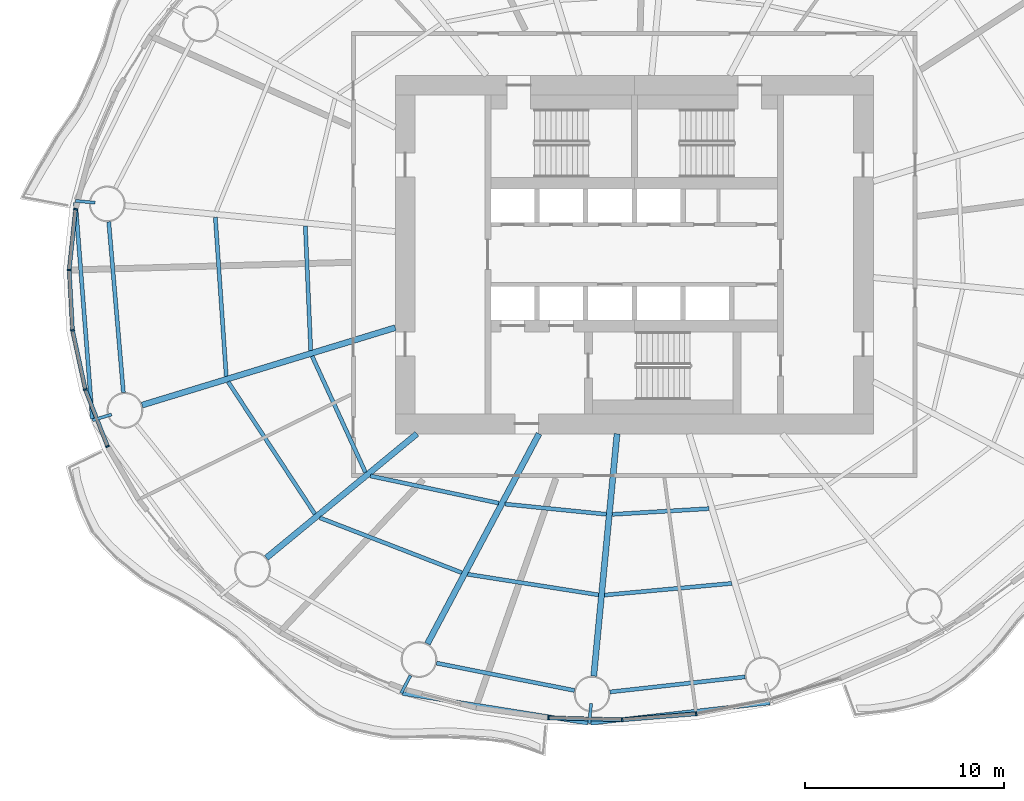
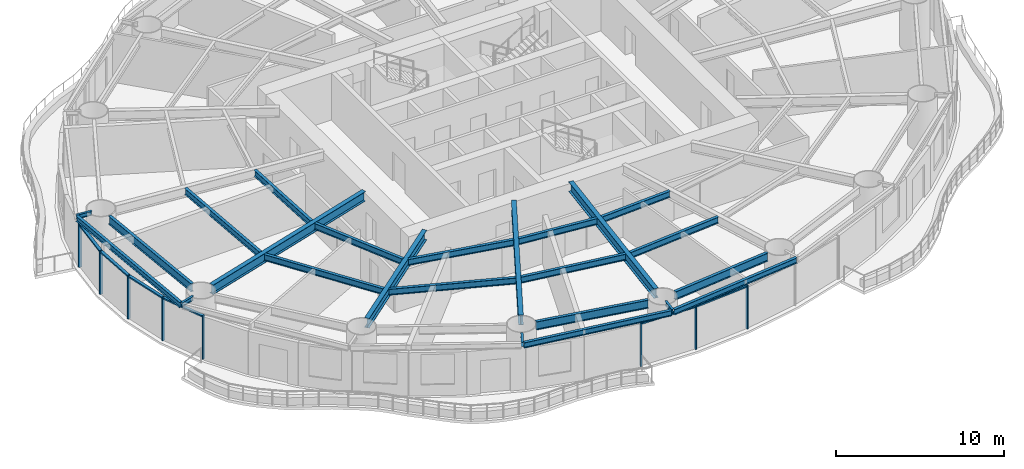
# One storey, part 2 of 16: 24 beams, 14 members, 7 elements without a shape of their own.
"""IFC4 building model written with IfcOpenShell, lengths in metres."""

import ifcopenshell
import ifcopenshell.guid

model = None  # the IFC model being written
_history = None  # IfcOwnerHistory: only IFC2X3 demands one
_inside = {}  # id of a spatial element -> (the spatial element, [elements in it])
_under = {}  # id of a project, library or spatial element -> (it, [spatial elements below it])
_declared = {}  # id of a project -> (the project, [libraries it declares])
_typed = {}  # id of a type object -> (the type object, [elements of that type])
_made_of = {}  # id of a material, layer set ... -> (it, [elements and type objects made of it])


def new_model(schema):
    """Start an empty IFC model of exactly this schema.

    Asked for "IFC4X3", IfcOpenShell would pick the latest addendum, in which some entities
    have other attributes; the version numbers below select the first issue.
    IFC2X3 requires an IfcOwnerHistory on every rooted entity: one is made here for all.
    """
    global model, _history
    if schema == "IFC4X3":
        model = ifcopenshell.file(schema_version=(4, 3, 0, 0))
    else:
        model = ifcopenshell.file(schema=schema)
    _inside.clear()
    _under.clear()
    _declared.clear()
    _typed.clear()
    _made_of.clear()
    _history = None
    if model.schema == "IFC2X3":
        org = make("IfcOrganization", Name="unknown")
        user = make(
            "IfcPersonAndOrganization",
            ThePerson=make("IfcPerson", FamilyName="unknown"),
            TheOrganization=org,
        )
        app = make(
            "IfcApplication",
            ApplicationDeveloper=org,
            Version="unknown",
            ApplicationFullName="unknown",
            ApplicationIdentifier="unknown",
        )
        _history = make(
            "IfcOwnerHistory",
            OwningUser=user,
            OwningApplication=app,
            ChangeAction="ADDED",
            CreationDate=0,
        )
    return model


def make(cls, **values):
    """One entity of the class cls with the attributes given. An attribute that is None is left unset."""
    return model.create_entity(
        cls, **{name: value for name, value in values.items() if value is not None}
    )


def rooted(cls, **values):
    """An entity with a GlobalId (a new one), such as an element, a storey or a relation."""
    return make(cls, GlobalId=ifcopenshell.guid.new(), OwnerHistory=_history, **values)


def si_unit(unit_type, name, prefix=None):
    """IfcSIUnit, for example si_unit("LENGTHUNIT", "METRE", prefix="MILLI")."""
    return make("IfcSIUnit", UnitType=unit_type, Prefix=prefix, Name=name)


def assignment(units):
    """IfcUnitAssignment: the units of a project."""
    return None if units is None else make("IfcUnitAssignment", Units=units)


def point(xyz):
    """IfcCartesianPoint."""
    return None if xyz is None else make("IfcCartesianPoint", Coordinates=xyz)


def direction(xyz):
    """IfcDirection."""
    return None if xyz is None else make("IfcDirection", DirectionRatios=xyz)


def frame(location, z_axis=None, x_axis=None):
    """IfcAxis2Placement3D, a coordinate frame: its origin and axes. An axis left out is left unset."""
    return make(
        "IfcAxis2Placement3D",
        Location=point(location),
        Axis=direction(z_axis),
        RefDirection=direction(x_axis),
    )


def frame_2d(location, x_axis=None):
    """IfcAxis2Placement2D, a coordinate frame in the plane: its origin and x axis."""
    return make(
        "IfcAxis2Placement2D", Location=point(location), RefDirection=direction(x_axis)
    )


def origin():
    """The frame at (0, 0, 0) with its axes left unset."""
    return frame((0.0, 0.0, 0.0))


def origin_2d():
    """The frame at (0, 0) in the plane with its x axis left unset."""
    return frame_2d((0.0, 0.0))


def place(relative_to, where):
    """IfcLocalPlacement: puts the frame where relative to a parent placement (None: the world)."""
    return make(
        "IfcLocalPlacement", PlacementRelTo=relative_to, RelativePlacement=where
    )


def context(
    kind, dimensions, precision=None, world=None, true_north=None, identifier=None
):
    """IfcGeometricRepresentationContext, for example the 3D "Model" context."""
    return make(
        "IfcGeometricRepresentationContext",
        ContextIdentifier=identifier,
        ContextType=kind,
        CoordinateSpaceDimension=dimensions,
        Precision=precision,
        WorldCoordinateSystem=world,
        TrueNorth=true_north,
    )


def subcontext(parent, identifier, kind, view, scale=None):
    """IfcGeometricRepresentationSubContext, for example "Body" below "Model"."""
    return make(
        "IfcGeometricRepresentationSubContext",
        ContextIdentifier=identifier,
        ContextType=kind,
        ParentContext=parent,
        TargetScale=scale,
        TargetView=view,
    )


def project(units=None, contexts=None):
    """IfcProject with its units and contexts."""
    return rooted(
        "IfcProject",
        Name="project",
        RepresentationContexts=contexts,
        UnitsInContext=assignment(units),
    )


def spatial(cls, under=None, at=None, **own):
    """A site, building, storey or space (cls), placed at a placement, below another one or the project."""
    s = rooted(cls, ObjectPlacement=at, **own)
    if under is not None:
        _under.setdefault(under.id(), (under, []))[1].append(s)
    return s


def profile(cls, at=None, kind="AREA", **sizes):
    """A parametric profile (cls). Its sizes go by their IFC names, for example OverallWidth=200.0."""
    return make(cls, ProfileType=kind, Position=at, **sizes)


def rectangle(**sizes):
    """IfcRectangleProfileDef."""
    return profile("IfcRectangleProfileDef", **sizes)


def i_section(**sizes):
    """IfcIShapeProfileDef."""
    return profile("IfcIShapeProfileDef", **sizes)


def extrude(swept, where, along, depth):
    """IfcExtrudedAreaSolid: the profile swept, set in the frame where, extruded along a direction by depth."""
    return make(
        "IfcExtrudedAreaSolid",
        SweptArea=swept,
        Position=where,
        ExtrudedDirection=direction(along),
        Depth=depth,
    )


def shape(context_of_items, identifier, shape_type, items):
    """IfcShapeRepresentation: the items that make up one representation, for example the "Body"."""
    return make(
        "IfcShapeRepresentation",
        ContextOfItems=context_of_items,
        RepresentationIdentifier=identifier,
        RepresentationType=shape_type,
        Items=items,
    )


def material(Name=None, Category=None):
    """IfcMaterial."""
    return make("IfcMaterial", Name=Name, Category=Category)


def material_profile(
    of_material, cross_section, Name=None, Category=None, Priority=None
):
    """IfcMaterialProfile: a cross section and its material."""
    return make(
        "IfcMaterialProfile",
        Name=Name,
        Material=of_material,
        Profile=cross_section,
        Priority=Priority,
        Category=Category,
    )


def profile_set(profiles, Name=None, composite=None):
    """IfcMaterialProfileSet."""
    return make(
        "IfcMaterialProfileSet",
        Name=Name,
        MaterialProfiles=profiles,
        CompositeProfile=composite,
    )


def made_of(thing, what):
    """Note that an element or type object is made of a material, layer set ...; save() writes the relation."""
    if what is not None:
        _made_of.setdefault(what.id(), (what, []))[1].append(thing)
    return thing


def type_object(cls, material=None, **own):
    """A type object (cls), such as IfcWallType, which elements share."""
    return made_of(rooted(cls, **own), material)


def element(
    cls,
    number,
    at=None,
    inside=None,
    cuts=None,
    type_object=None,
    material=None,
    context=None,
    identifier="Body",
    shape_type=None,
    held_by="IfcProductDefinitionShape",
    body=None,
    shapes=None,
    **own,
):
    """One element of the class cls, such as IfcWall. Its Tag is "e" and its number.

    at: its placement. inside: the storey or other place that contains it. cuts: it is an
    opening in that element (IfcRelVoidsElement). A single representation is given by context,
    identifier, shape_type and body (its items); several are given by shapes. held_by: the class
    of the entity that holds the representations. save() writes the other relations.
    """
    e = rooted(cls, Tag="e%d" % number, ObjectPlacement=at, **own)
    if body is not None:
        shapes = [shape(context, identifier, shape_type, body)]
    if shapes is not None:
        e.Representation = make(held_by, Representations=shapes)
    if inside is not None:
        _inside.setdefault(inside.id(), (inside, []))[1].append(e)
    if cuts is not None:
        rooted(
            "IfcRelVoidsElement", RelatingBuildingElement=cuts, RelatedOpeningElement=e
        )
    if type_object is not None:
        _typed.setdefault(type_object.id(), (type_object, []))[1].append(e)
    return made_of(e, material)


def aggregate(whole, parts):
    """IfcRelAggregates: a whole, such as a stair, and the parts it consists of."""
    return rooted("IfcRelAggregates", RelatingObject=whole, RelatedObjects=parts)


def save(model, path):
    """Write the relations noted so far, then the file.

    IfcRelAggregates (storeys below a building ...), IfcRelContainedInSpatialStructure (elements
    in a storey), IfcRelDefinesByType, IfcRelAssociatesMaterial and IfcRelDeclares: one each for
    every whole, place, type object, material and project.
    """
    for whole, parts in _under.values():
        aggregate(whole, parts)
    for where, things in _inside.values():
        rooted(
            "IfcRelContainedInSpatialStructure",
            RelatedElements=things,
            RelatingStructure=where,
        )
    for kind, things in _typed.values():
        rooted("IfcRelDefinesByType", RelatedObjects=things, RelatingType=kind)
    for what, things in _made_of.values():
        rooted("IfcRelAssociatesMaterial", RelatedObjects=things, RelatingMaterial=what)
    for by, libraries in _declared.values():
        rooted("IfcRelDeclares", RelatingContext=by, RelatedDefinitions=libraries)
    model.write(path)


model = new_model("IFC4")

# Units and contexts
model_context = context("Model", 3, precision=1e-05, world=origin(), true_north=direction((0.0, 1.0)))
body_context = subcontext(model_context, "Body", "Model", "MODEL_VIEW")
ifc_project = project(units=[si_unit("LENGTHUNIT", "METRE"), si_unit("AREAUNIT", "SQUARE_METRE"), si_unit("VOLUMEUNIT", "CUBIC_METRE"), si_unit("PLANEANGLEUNIT", "RADIAN"), si_unit("MASSUNIT", "GRAM", prefix="KILO")], contexts=[model_context])

# Site, building, storey
site_placement = place(None, origin())
site = spatial("IfcSite", under=ifc_project, at=site_placement, CompositionType="ELEMENT")
building_placement = place(site_placement, origin())
building = spatial("IfcBuilding", under=site, at=building_placement, Name="Vermilion Reach Broadcast Tower", CompositionType="ELEMENT")
storey_placement = place(building_placement, frame((0.0, 0.0, 65.60009765625)))
storey = spatial("IfcBuildingStorey", under=building, at=storey_placement, Name="L13", CompositionType="ELEMENT", Elevation=65.60009765625)

# Beams
ifc_material_1 = material(Name="Steel S355J2", Category="steel")
ifc_material_profile_1 = material_profile(ifc_material_1, i_section(OverallWidth=0.199951171875, OverallDepth=0.39990234375, WebThickness=0.008056640625, FlangeThickness=0.012939453125, at=origin_2d()), Name="S355J2 HN 400x200x8x13")
ifc_profile_set_1 = profile_set([ifc_material_profile_1], Name="Steel S355J2")
beam_type_1 = type_object("IfcBeamType", Name="EB1 HN 400x200x8x13", PredefinedType="BEAM", material=ifc_profile_set_1)
beam_1_placement = place(storey_placement, frame((-34.058349609375, 2.621337890625, 3.349853515625), z_axis=(0.077787488333, -0.996969962767, 0.0), x_axis=(0.996969962767, 0.077787488333, 0.0)))
element("IfcBeam", 1, at=beam_1_placement, inside=storey, type_object=beam_type_1, Name="Edge beam EB1-08", PredefinedType="BEAM", context=body_context, shape_type="SweptSolid", body=[
    extrude(i_section(OverallWidth=0.199951171875, OverallDepth=0.39990234375, WebThickness=0.008056640625, FlangeThickness=0.012939453125, at=origin_2d()), origin(), (0.0, 0.0, 1.0), 10.900146484375),
])
beam_2_placement = place(storey_placement, frame((-17.626953125, -22.035888671875, 3.349853515625), z_axis=(0.98739866046, -0.158252599731, 0.0), x_axis=(0.158252599731, 0.98739866046, 0.0)))
element("IfcBeam", 2, at=beam_2_placement, inside=storey, type_object=beam_type_1, Name="Edge beam EB1-11", PredefinedType="BEAM", context=body_context, shape_type="SweptSolid", body=[
    extrude(i_section(OverallWidth=0.199951171875, OverallDepth=0.39990234375, WebThickness=0.008056640625, FlangeThickness=0.012939453125, at=origin_2d()), origin(), (0.0, 0.0, 1.0), 9.4091796875),
])
beam_3_placement = place(storey_placement, frame((-8.18603515625, -23.528076171875, 3.349853515625), z_axis=(0.993623124283, 0.112752325429, 0.0), x_axis=(-0.112752325429, 0.993623124283, 0.0)))
element("IfcBeam", 3, at=beam_3_placement, inside=storey, type_object=beam_type_1, Name="Edge beam EB1-12", PredefinedType="BEAM", context=body_context, shape_type="SweptSolid", body=[
    extrude(i_section(OverallWidth=0.199951171875, OverallDepth=0.39990234375, WebThickness=0.008056640625, FlangeThickness=0.012939453125, at=origin_2d()), origin(), (0.0, 0.0, 1.0), 9.05078125),
])
ifc_material_2 = material(Name="Steel S355J2", Category="steel")
ifc_material_profile_2 = material_profile(ifc_material_2, i_section(OverallWidth=0.300048828125, OverallDepth=0.699951171875, WebThickness=0.012939453125, FlangeThickness=0.02392578125, at=origin_2d()), Name="S355J2 HN 700x300x13x24")
ifc_profile_set_2 = profile_set([ifc_material_profile_2], Name="Steel S355J2")
beam_type_2 = type_object("IfcBeamType", Name="G1 HN 700x300x13x24", PredefinedType="BEAM", material=ifc_profile_set_2)
beam_4_placement = place(storey_placement, frame((-18.0, -3.671142578125, 3.199951171875), z_axis=(-0.956255735186, -0.292531996409, 0.0), x_axis=(0.292531996409, -0.956255735186, 0.0)))
element("IfcBeam", 4, at=beam_4_placement, inside=storey, type_object=beam_type_2, Name="Girder G1-09", PredefinedType="BEAM", context=body_context, shape_type="SweptSolid", body=[
    extrude(i_section(OverallWidth=0.300048828125, OverallDepth=0.699951171875, WebThickness=0.012939453125, FlangeThickness=0.02392578125, at=origin_2d()), origin(), (0.0, 0.0, 1.0), 13.29638671875),
])
beam_5_placement = place(storey_placement, frame((-16.9140625, -9.0, 3.199951171875), z_axis=(-0.771514256373, -0.636212034005, 0.0), x_axis=(0.636212034005, -0.771514256373, 0.0)))
element("IfcBeam", 5, at=beam_5_placement, inside=storey, type_object=beam_type_2, Name="Girder G1-10", PredefinedType="BEAM", context=body_context, shape_type="SweptSolid", body=[
    extrude(i_section(OverallWidth=0.300048828125, OverallDepth=0.699951171875, WebThickness=0.012939453125, FlangeThickness=0.02392578125, at=origin_2d()), origin(), (0.0, 0.0, 1.0), 9.796142578125),
])
beam_6_placement = place(storey_placement, frame((-10.783447265625, -9.0, 3.199951171875), z_axis=(-0.469312182262, -0.883032318537, 0.0), x_axis=(0.883032318537, -0.469312182262, 0.0)))
element("IfcBeam", 6, at=beam_6_placement, inside=storey, type_object=beam_type_2, Name="Girder G1-11", PredefinedType="BEAM", context=body_context, shape_type="SweptSolid", body=[
    extrude(i_section(OverallWidth=0.300048828125, OverallDepth=0.699951171875, WebThickness=0.012939453125, FlangeThickness=0.02392578125, at=origin_2d()), origin(), (0.0, 0.0, 1.0), 11.94091796875),
])
beam_7_placement = place(storey_placement, frame((-6.864990234375, -9.0, 3.199951171875), z_axis=(-0.09566673912, -0.995413419151, 0.0), x_axis=(0.995413419151, -0.09566673912, 0.0)))
element("IfcBeam", 7, at=beam_7_placement, inside=storey, type_object=beam_type_2, Name="Girder G1-12", PredefinedType="BEAM", context=body_context, shape_type="SweptSolid", body=[
    extrude(i_section(OverallWidth=0.300048828125, OverallDepth=0.699951171875, WebThickness=0.012939453125, FlangeThickness=0.02392578125, at=origin_2d()), origin(), (0.0, 0.0, 1.0), 12.22412109375),
])
ifc_material_3 = material(Name="Steel S355J2", Category="steel")
ifc_material_profile_3 = material_profile(ifc_material_3, i_section(OverallWidth=0.14990234375, OverallDepth=0.300048828125, WebThickness=0.006591796875, FlangeThickness=0.009033203125, at=origin_2d()), Name="S355J2 HN 300x150x6.5x9")
ifc_profile_set_3 = profile_set([ifc_material_profile_3], Name="Steel S355J2")
beam_type_3 = type_object("IfcBeamType", Name="GS1 HN 300x150x6.5x9", PredefinedType="BEAM", material=ifc_profile_set_3)
for number, where, z_axis, x_axis, name in (
    (8, (-33.06884765625, 2.6015625, 3.39990234375), (-0.995409476419, 0.095707754417, 0.0), (-0.095707754417, -0.995409476419, 0.0), "Cantilever stub GS1-08"),
    (9, (-32.248046875, -8.02978515625, 3.39990234375), (-0.956205533022, -0.292696051594, 0.0), (0.292696051594, -0.956205533022, 0.0), "Cantilever stub GS1-09"),
):
    element("IfcBeam", number, at=place(storey_placement, frame(where, z_axis=z_axis, x_axis=x_axis)), inside=storey, type_object=beam_type_3, Name=name, PredefinedType="BEAM", context=body_context, shape_type="SweptSolid", body=[
        extrude(i_section(OverallWidth=0.14990234375, OverallDepth=0.300048828125, WebThickness=0.006591796875, FlangeThickness=0.009033203125, at=origin_2d()), origin(), (0.0, 0.0, 1.0), 1.0),
    ])
beam_8_placement = place(storey_placement, frame((-17.232177734375, -21.1337890625, 3.39990234375), z_axis=(-0.469367816371, -0.883002747989, 0.0), x_axis=(0.883002747989, -0.469367816371, 0.0)))
element("IfcBeam", 10, at=beam_8_placement, inside=storey, type_object=beam_type_3, Name="Cantilever stub GS1-11", PredefinedType="BEAM", context=body_context, shape_type="SweptSolid", body=[
    extrude(i_section(OverallWidth=0.14990234375, OverallDepth=0.300048828125, WebThickness=0.006591796875, FlangeThickness=0.009033203125, at=origin_2d()), origin(), (0.0, 0.0, 1.0), 1.007568359375),
])
beam_9_placement = place(storey_placement, frame((-8.16650390625, -22.541259765625, 3.39990234375), z_axis=(-0.095707754417, -0.995409476419, 0.0), x_axis=(0.995409476419, -0.095707754417, 0.0)))
element("IfcBeam", 11, at=beam_9_placement, inside=storey, type_object=beam_type_3, Name="Cantilever stub GS1-12", PredefinedType="BEAM", context=body_context, shape_type="SweptSolid", body=[
    extrude(i_section(OverallWidth=0.14990234375, OverallDepth=0.300048828125, WebThickness=0.006591796875, FlangeThickness=0.009033203125, at=origin_2d()), origin(), (0.0, 0.0, 1.0), 1.0),
])
ifc_material_4 = material(Name="Steel S355J2", Category="steel")
ifc_material_profile_4 = material_profile(ifc_material_4, i_section(OverallWidth=0.199951171875, OverallDepth=0.60009765625, WebThickness=0.010986328125, FlangeThickness=0.01708984375, at=origin_2d()), Name="S355J2 HN 600x200x11x17")
ifc_profile_set_4 = profile_set([ifc_material_profile_4], Name="Steel S355J2")
beam_type_4 = type_object("IfcBeamType", Name="RB1 HN 600x200x11x17", PredefinedType="BEAM", material=ifc_profile_set_4)
beam_10_placement = place(storey_placement, frame((-32.38720703125, 1.646728515625, 3.25), z_axis=(0.085395508608, -0.996347131832, 0.0), x_axis=(0.996347131832, 0.085395508608, 0.0)))
element("IfcBeam", 12, at=beam_10_placement, inside=storey, type_object=beam_type_4, Name="Ring beam RB1-08", PredefinedType="BEAM", context=body_context, shape_type="SweptSolid", body=[
    extrude(i_section(OverallWidth=0.199951171875, OverallDepth=0.60009765625, WebThickness=0.010986328125, FlangeThickness=0.01708984375, at=origin_2d()), origin(), (0.0, 0.0, 1.0), 8.60546875),
])
beam_11_placement = place(storey_placement, frame((-15.927001953125, -20.51416015625, 3.25), z_axis=(0.980857717995, -0.194725799651, 0.0), x_axis=(0.194725799651, 0.980857717995, 0.0)))
element("IfcBeam", 13, at=beam_11_placement, inside=storey, type_object=beam_type_4, Name="Ring beam RB1-11", PredefinedType="BEAM", context=body_context, shape_type="SweptSolid", body=[
    extrude(i_section(OverallWidth=0.199951171875, OverallDepth=0.60009765625, WebThickness=0.010986328125, FlangeThickness=0.01708984375, at=origin_2d()), origin(), (0.0, 0.0, 1.0), 7.05859375),
])
beam_12_placement = place(storey_placement, frame((-7.22607421875, -21.964111328125, 3.25), z_axis=(0.993851439324, 0.110721798009, 0.0), x_axis=(-0.110721798009, 0.993851439324, 0.0)))
element("IfcBeam", 14, at=beam_12_placement, inside=storey, type_object=beam_type_4, Name="Ring beam RB1-12", PredefinedType="BEAM", context=body_context, shape_type="SweptSolid", body=[
    extrude(i_section(OverallWidth=0.199951171875, OverallDepth=0.60009765625, WebThickness=0.010986328125, FlangeThickness=0.01708984375, at=origin_2d()), origin(), (0.0, 0.0, 1.0), 6.8310546875),
])
ifc_material_5 = material(Name="Steel S355J2", Category="steel")
ifc_material_profile_5 = material_profile(ifc_material_5, i_section(OverallWidth=0.199951171875, OverallDepth=0.449951171875, WebThickness=0.009033203125, FlangeThickness=0.013916015625, at=origin_2d()), Name="S355J2 HN 450x200x9x14")
ifc_profile_set_5 = profile_set([ifc_material_profile_5], Name="Steel S355J2")
beam_type_5 = type_object("IfcBeamType", Name="SB1 HN 450x200x9x14", PredefinedType="BEAM", material=ifc_profile_set_5)
beam_13_placement = place(storey_placement, frame((-22.51611328125, 1.436767578125, 3.324951171875), z_axis=(0.043361007512, -0.999059469215, 0.0), x_axis=(0.999059469215, 0.043361007512, 0.0)))
element("IfcBeam", 15, at=beam_13_placement, inside=storey, type_object=beam_type_5, Name="Secondary beam SB1-08-1", PredefinedType="BEAM", context=body_context, shape_type="SweptSolid", body=[
    extrude(i_section(OverallWidth=0.199951171875, OverallDepth=0.449951171875, WebThickness=0.009033203125, FlangeThickness=0.013916015625, at=origin_2d()), origin(), (0.0, 0.0, 1.0), 6.25537109375),
])
beam_14_placement = place(storey_placement, frame((-27.03515625, 1.87109375, 3.324951171875), z_axis=(0.068507801475, -0.997650580683, 0.0), x_axis=(0.997650580683, 0.068507801475, 0.0)))
element("IfcBeam", 16, at=beam_14_placement, inside=storey, type_object=beam_type_5, Name="Secondary beam SB1-08-2", PredefinedType="BEAM", context=body_context, shape_type="SweptSolid", body=[
    extrude(i_section(OverallWidth=0.199951171875, OverallDepth=0.449951171875, WebThickness=0.009033203125, FlangeThickness=0.013916015625, at=origin_2d()), origin(), (0.0, 0.0, 1.0), 8.00048828125),
])
beam_15_placement = place(storey_placement, frame((-22.175048828125, -5.105224609375, 3.324951171875), z_axis=(0.417211452529, -0.908809443106, 0.0), x_axis=(0.908809443106, 0.417211452529, 0.0)))
element("IfcBeam", 17, at=beam_15_placement, inside=storey, type_object=beam_type_5, Name="Secondary beam SB1-09-1", PredefinedType="BEAM", context=body_context, shape_type="SweptSolid", body=[
    extrude(i_section(OverallWidth=0.199951171875, OverallDepth=0.449951171875, WebThickness=0.009033203125, FlangeThickness=0.013916015625, at=origin_2d()), origin(), (0.0, 0.0, 1.0), 6.41650390625),
])
beam_16_placement = place(storey_placement, frame((-26.390625, -6.394775390625, 3.324951171875), z_axis=(0.548800909102, -0.835953086105, 0.0), x_axis=(0.835953086105, 0.548800909102, 0.0)))
element("IfcBeam", 18, at=beam_16_placement, inside=storey, type_object=beam_type_5, Name="Secondary beam SB1-09-2", PredefinedType="BEAM", context=body_context, shape_type="SweptSolid", body=[
    extrude(i_section(OverallWidth=0.199951171875, OverallDepth=0.449951171875, WebThickness=0.009033203125, FlangeThickness=0.013916015625, at=origin_2d()), origin(), (0.0, 0.0, 1.0), 7.935791015625),
])
beam_17_placement = place(storey_placement, frame((-19.24560546875, -11.1171875, 3.324951171875), z_axis=(0.978270372412, -0.207333254596, 0.0), x_axis=(0.207333254596, 0.978270372412, 0.0)))
element("IfcBeam", 19, at=beam_17_placement, inside=storey, type_object=beam_type_5, Name="Secondary beam SB1-10-1", PredefinedType="BEAM", context=body_context, shape_type="SweptSolid", body=[
    extrude(i_section(OverallWidth=0.199951171875, OverallDepth=0.449951171875, WebThickness=0.009033203125, FlangeThickness=0.013916015625, at=origin_2d()), origin(), (0.0, 0.0, 1.0), 6.584716796875),
])
beam_18_placement = place(storey_placement, frame((-21.7919921875, -13.217041015625, 3.324951171875), z_axis=(0.932680743753, -0.360702966765, 0.0), x_axis=(0.360702966765, 0.932680743753, 0.0)))
element("IfcBeam", 20, at=beam_18_placement, inside=storey, type_object=beam_type_5, Name="Secondary beam SB1-10-2", PredefinedType="BEAM", context=body_context, shape_type="SweptSolid", body=[
    extrude(i_section(OverallWidth=0.199951171875, OverallDepth=0.449951171875, WebThickness=0.009033203125, FlangeThickness=0.013916015625, at=origin_2d()), origin(), (0.0, 0.0, 1.0), 7.646240234375),
])
beam_19_placement = place(storey_placement, frame((-12.490234375, -12.531005859375, 3.324951171875), z_axis=(0.995010199331, -0.099773259079, 0.0), x_axis=(0.099773259079, 0.995010199331, 0.0)))
element("IfcBeam", 21, at=beam_19_placement, inside=storey, type_object=beam_type_5, Name="Secondary beam SB1-11-1", PredefinedType="BEAM", context=body_context, shape_type="SweptSolid", body=[
    extrude(i_section(OverallWidth=0.199951171875, OverallDepth=0.449951171875, WebThickness=0.009033203125, FlangeThickness=0.013916015625, at=origin_2d()), origin(), (0.0, 0.0, 1.0), 5.111572265625),
])
beam_20_placement = place(storey_placement, frame((-14.36279296875, -16.05419921875, 3.324951171875), z_axis=(0.987829548379, -0.155540294938, 0.0), x_axis=(0.155540294938, 0.987829548379, 0.0)))
element("IfcBeam", 22, at=beam_20_placement, inside=storey, type_object=beam_type_5, Name="Secondary beam SB1-11-2", PredefinedType="BEAM", context=body_context, shape_type="SweptSolid", body=[
    extrude(i_section(OverallWidth=0.199951171875, OverallDepth=0.449951171875, WebThickness=0.009033203125, FlangeThickness=0.013916015625, at=origin_2d()), origin(), (0.0, 0.0, 1.0), 6.650634765625),
])
beam_21_placement = place(storey_placement, frame((-7.103271484375, -13.046875, 3.324951171875), z_axis=(0.99823410974, 0.059402543307, 0.0), x_axis=(-0.059402543307, 0.99823410974, 0.0)))
element("IfcBeam", 23, at=beam_21_placement, inside=storey, type_object=beam_type_5, Name="Secondary beam SB1-12-1", PredefinedType="BEAM", context=body_context, shape_type="SweptSolid", body=[
    extrude(i_section(OverallWidth=0.199951171875, OverallDepth=0.449951171875, WebThickness=0.009033203125, FlangeThickness=0.013916015625, at=origin_2d()), origin(), (0.0, 0.0, 1.0), 4.85791015625),
])
beam_22_placement = place(storey_placement, frame((-7.49267578125, -17.09814453125, 3.324951171875), z_axis=(0.995818616382, 0.091352521952, 0.0), x_axis=(-0.091352521952, 0.995818616382, 0.0)))
element("IfcBeam", 24, at=beam_22_placement, inside=storey, type_object=beam_type_5, Name="Secondary beam SB1-12-2", PredefinedType="BEAM", context=body_context, shape_type="SweptSolid", body=[
    extrude(i_section(OverallWidth=0.199951171875, OverallDepth=0.449951171875, WebThickness=0.009033203125, FlangeThickness=0.013916015625, at=origin_2d()), origin(), (0.0, 0.0, 1.0), 6.4140625),
])

# Curtain wall, member
ifc_material_6 = material(Name="Low-e laminated clear glass in aluminium frame", Category="aluminium")
curtain_wall_type = type_object("IfcCurtainWallType", Name="Slot curtain wall", PredefinedType="NOTDEFINED", material=ifc_material_6)
placement = place(storey_placement, origin())
curtain_wall_1 = element("IfcCurtainWall", 25, at=placement, inside=storey, type_object=curtain_wall_type, Name="Slot curtain wall L13 22", PredefinedType="NOTDEFINED")
ifc_material_7 = material(Name="Anodised aluminium", Category="aluminium")
ifc_material_profile_6 = material_profile(ifc_material_7, rectangle(XDim=0.199951171875, YDim=0.080078125, at=origin_2d()), Name="Slot mullion 80 x 200")
ifc_profile_set_6 = profile_set([ifc_material_profile_6], Name="Anodised aluminium")
member_type_1 = type_object("IfcMemberType", Name="Slot mullion 80 x 200", PredefinedType="MULLION", material=ifc_profile_set_6)
member_1_placement = place(storey_placement, frame((-34.053955078125, 2.2783203125, 0.0), z_axis=(0.0, 0.0, 1.0), x_axis=(0.983592180384, -0.180406271197, 0.0)))
member_1 = element("IfcMember", 26, at=member_1_placement, type_object=member_type_1, Name="Slot mullion L13 22", PredefinedType="MULLION", context=body_context, shape_type="SweptSolid", body=[
    extrude(rectangle(XDim=0.199951171875, YDim=0.080078125, at=origin_2d()), origin(), (0.0, 0.0, 1.0), 3.14990234375),
])

curtain_wall_2 = element("IfcCurtainWall", 27, at=placement, inside=storey, type_object=curtain_wall_type, Name="Slot curtain wall L13 23", PredefinedType="NOTDEFINED")
member_2_placement = place(storey_placement, frame((-34.372314453125, -0.769775390625, 0.0), z_axis=(0.0, 0.0, 1.0), x_axis=(0.999689047997, -0.024936064554, 0.0)))
member_2 = element("IfcMember", 28, at=member_2_placement, type_object=member_type_1, Name="Slot mullion L13 23", PredefinedType="MULLION", context=body_context, shape_type="SweptSolid", body=[
    extrude(rectangle(XDim=0.199951171875, YDim=0.080078125, at=origin_2d()), origin(), (0.0, 0.0, 1.0), 3.14990234375),
])

curtain_wall_3 = element("IfcCurtainWall", 29, at=placement, inside=storey, type_object=curtain_wall_type, Name="Slot curtain wall L13 24", PredefinedType="NOTDEFINED")
member_3_placement = place(storey_placement, frame((-34.207763671875, -3.8037109375, 0.0), z_axis=(0.0, 0.0, 1.0), x_axis=(0.991029914193, 0.133640222892, 0.0)))
member_3 = element("IfcMember", 30, at=member_3_placement, type_object=member_type_1, Name="Slot mullion L13 24", PredefinedType="MULLION", context=body_context, shape_type="SweptSolid", body=[
    extrude(rectangle(XDim=0.199951171875, YDim=0.080078125, at=origin_2d()), origin(), (0.0, 0.0, 1.0), 3.14990234375),
])

# Curtain wall, members
curtain_wall_4 = element("IfcCurtainWall", 31, at=placement, inside=storey, type_object=curtain_wall_type, Name="Slot curtain wall L13 25", PredefinedType="NOTDEFINED")
member_4_placement = place(storey_placement, frame((-33.562744140625, -6.773193359375, 0.0), z_axis=(0.0, 0.0, 1.0), x_axis=(0.957375557991, 0.288846050624, 0.0)))
member_4 = element("IfcMember", 32, at=member_4_placement, type_object=member_type_1, Name="Slot mullion L13 25", PredefinedType="MULLION", context=body_context, shape_type="SweptSolid", body=[
    extrude(rectangle(XDim=0.199951171875, YDim=0.080078125, at=origin_2d()), origin(), (0.0, 0.0, 1.0), 3.14990234375),
])
member_5_placement = place(storey_placement, frame((-32.4482421875, -9.6279296875, 0.0), z_axis=(0.0, 0.0, 1.0), x_axis=(0.900672227959, 0.434499180418, 0.0)))
member_5 = element("IfcMember", 33, at=member_5_placement, type_object=member_type_1, Name="Slot mullion L13 26", PredefinedType="MULLION", context=body_context, shape_type="SweptSolid", body=[
    extrude(rectangle(XDim=0.199951171875, YDim=0.080078125, at=origin_2d()), origin(), (0.0, 0.0, 1.0), 3.14990234375),
])

# Curtain wall, member
curtain_wall_5 = element("IfcCurtainWall", 34, at=placement, inside=storey, type_object=curtain_wall_type, Name="Slot curtain wall L13 34", PredefinedType="NOTDEFINED")
member_6_placement = place(storey_placement, frame((-10.310546875, -23.25830078125, 0.0), z_axis=(0.0, 0.0, 1.0), x_axis=(0.082303763812, 0.996607289991, 0.0)))
member_6 = element("IfcMember", 35, at=member_6_placement, type_object=member_type_1, Name="Slot mullion L13 34", PredefinedType="MULLION", context=body_context, shape_type="SweptSolid", body=[
    extrude(rectangle(XDim=0.199951171875, YDim=0.080078125, at=origin_2d()), origin(), (0.0, 0.0, 1.0), 3.14990234375),
])

curtain_wall_6 = element("IfcCurtainWall", 36, at=placement, inside=storey, type_object=curtain_wall_type, Name="Slot curtain wall L13 35", PredefinedType="NOTDEFINED")
member_7_placement = place(storey_placement, frame((-6.605712890625, -23.3603515625, 0.0), z_axis=(0.0, 0.0, 1.0), x_axis=(-0.026422307561, 0.999650869886, 0.0)))
member_7 = element("IfcMember", 37, at=member_7_placement, type_object=member_type_1, Name="Slot mullion L13 35", PredefinedType="MULLION", context=body_context, shape_type="SweptSolid", body=[
    extrude(rectangle(XDim=0.199951171875, YDim=0.080078125, at=origin_2d()), origin(), (0.0, 0.0, 1.0), 3.14990234375),
])

curtain_wall_7 = element("IfcCurtainWall", 38, at=placement, inside=storey, type_object=curtain_wall_type, Name="Slot curtain wall L13 36", PredefinedType="NOTDEFINED")
member_8_placement = place(storey_placement, frame((-2.89013671875, -23.06103515625, 0.0), z_axis=(0.0, 0.0, 1.0), x_axis=(-0.133640265425, 0.991029908457, 0.0)))
member_8 = element("IfcMember", 39, at=member_8_placement, type_object=member_type_1, Name="Slot mullion L13 36", PredefinedType="MULLION", context=body_context, shape_type="SweptSolid", body=[
    extrude(rectangle(XDim=0.199951171875, YDim=0.080078125, at=origin_2d()), origin(), (0.0, 0.0, 1.0), 3.14990234375),
])
aggregate(curtain_wall_7, [member_8])

# Member
ifc_material_8 = material(Name="Anodised aluminium", Category="aluminium")
ifc_material_profile_7 = material_profile(ifc_material_8, rectangle(XDim=0.199951171875, YDim=0.10009765625, at=origin_2d()), Name="Slot transom 200 x 100")
ifc_profile_set_7 = profile_set([ifc_material_profile_7], Name="Anodised aluminium")
member_type_2 = type_object("IfcMemberType", Name="Slot transom 200 x 100", PredefinedType="USERDEFINED", material=ifc_profile_set_7)
member_9_placement = place(storey_placement, frame((-34.05810546875, 2.238525390625, 3.099853515625), z_axis=(-0.103884244679, -0.994589394528, 0.0), x_axis=(0.994589394528, -0.103884244679, 0.0)))
member_9 = element("IfcMember", 40, at=member_9_placement, type_object=member_type_2, Name="Slot transom L13 22.1", ObjectType="TRANSOM", PredefinedType="USERDEFINED", context=body_context, shape_type="SweptSolid", body=[
    extrude(rectangle(XDim=0.199951171875, YDim=0.10009765625, at=origin_2d()), origin(), (0.0, 0.0, 1.0), 2.984619140625),
])

aggregate(curtain_wall_1, [member_1, member_9])

member_10_placement = place(storey_placement, frame((-34.3701171875, -0.8095703125, 3.099853515625), z_axis=(0.054130915112, -0.998533847213, 0.0), x_axis=(0.998533847213, 0.054130915112, 0.0)))
member_10 = element("IfcMember", 41, at=member_10_placement, type_object=member_type_2, Name="Slot transom L13 23.1", ObjectType="TRANSOM", PredefinedType="USERDEFINED", context=body_context, shape_type="SweptSolid", body=[
    extrude(rectangle(XDim=0.199951171875, YDim=0.10009765625, at=origin_2d()), origin(), (0.0, 0.0, 1.0), 2.958740234375),
])

aggregate(curtain_wall_2, [member_2, member_10])

member_11_placement = place(storey_placement, frame((-34.19921875, -3.8427734375, 3.099853515625), z_axis=(0.212227523726, -0.977220281294, 0.0), x_axis=(0.977220281294, 0.212227523726, 0.0)))
member_11 = element("IfcMember", 42, at=member_11_placement, type_object=member_type_2, Name="Slot transom L13 24.1", ObjectType="TRANSOM", PredefinedType="USERDEFINED", context=body_context, shape_type="SweptSolid", body=[
    extrude(rectangle(XDim=0.199951171875, YDim=0.10009765625, at=origin_2d()), origin(), (0.0, 0.0, 1.0), 2.958740234375),
])

aggregate(curtain_wall_3, [member_3, member_11])

member_12_placement = place(storey_placement, frame((-33.54833984375, -6.810302734375, 3.099853515625), z_axis=(0.363649822809, -0.931535724689, 0.0), x_axis=(0.931535724689, 0.363649822809, 0.0)))
member_12 = element("IfcMember", 43, at=member_12_placement, type_object=member_type_2, Name="Slot transom L13 25.1", ObjectType="TRANSOM", PredefinedType="USERDEFINED", context=body_context, shape_type="SweptSolid", body=[
    extrude(rectangle(XDim=0.199951171875, YDim=0.10009765625, at=origin_2d()), origin(), (0.0, 0.0, 1.0), 2.98486328125),
])

aggregate(curtain_wall_4, [member_4, member_5, member_12])

member_13_placement = place(storey_placement, frame((-10.2705078125, -23.25927734375, 3.099853515625), z_axis=(0.999620779236, -0.027537206083, 0.0), x_axis=(0.027537206083, 0.999620779236, 0.0)))
member_13 = element("IfcMember", 44, at=member_13_placement, type_object=member_type_2, Name="Slot transom L13 34.1", ObjectType="TRANSOM", PredefinedType="USERDEFINED", context=body_context, shape_type="SweptSolid", body=[
    extrude(rectangle(XDim=0.199951171875, YDim=0.10009765625, at=origin_2d()), origin(), (0.0, 0.0, 1.0), 3.626220703125),
])

aggregate(curtain_wall_5, [member_6, member_13])

member_14_placement = place(storey_placement, frame((-6.56591796875, -23.357177734375, 3.099853515625), z_axis=(0.996769142895, 0.080319834238, 0.0), x_axis=(-0.080319834238, 0.996769142895, 0.0)))
member_14 = element("IfcMember", 45, at=member_14_placement, type_object=member_type_2, Name="Slot transom L13 35.1", ObjectType="TRANSOM", PredefinedType="USERDEFINED", context=body_context, shape_type="SweptSolid", body=[
    extrude(rectangle(XDim=0.199951171875, YDim=0.10009765625, at=origin_2d()), origin(), (0.0, 0.0, 1.0), 3.6474609375),
])

aggregate(curtain_wall_6, [member_7, member_14])

save(model, "model.ifc")
